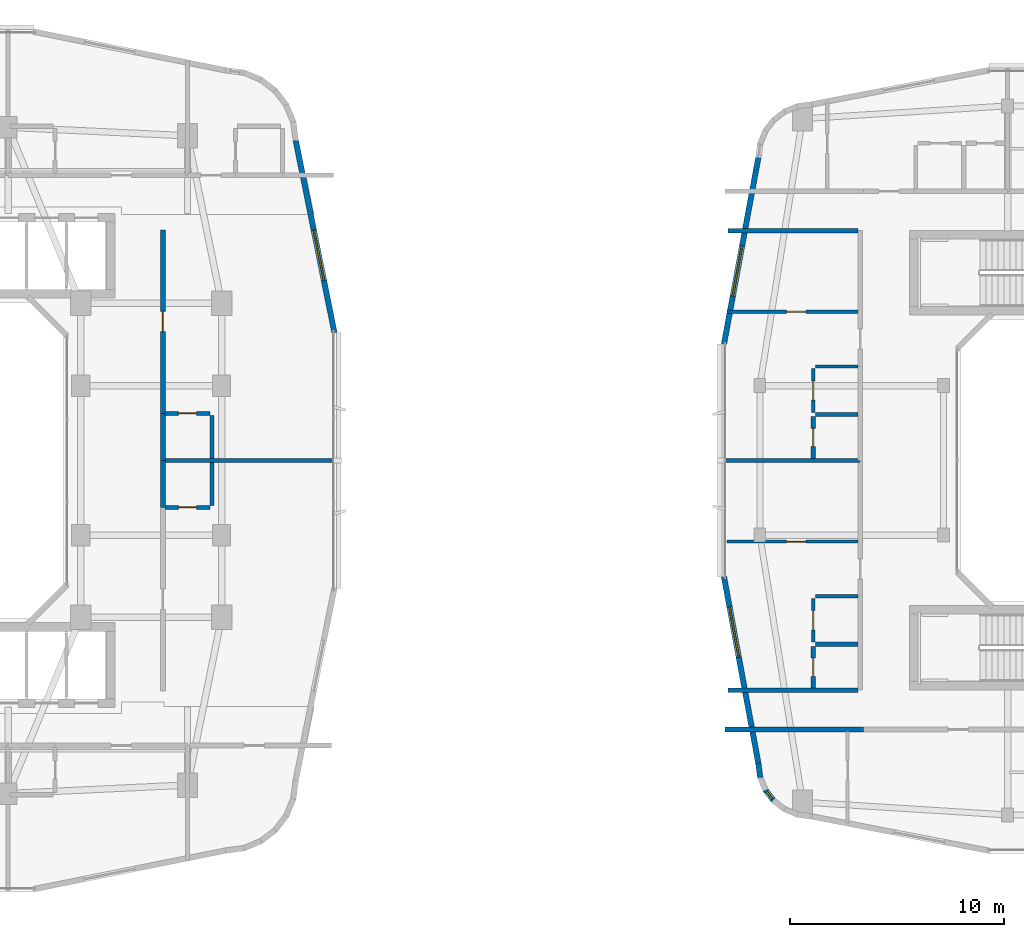
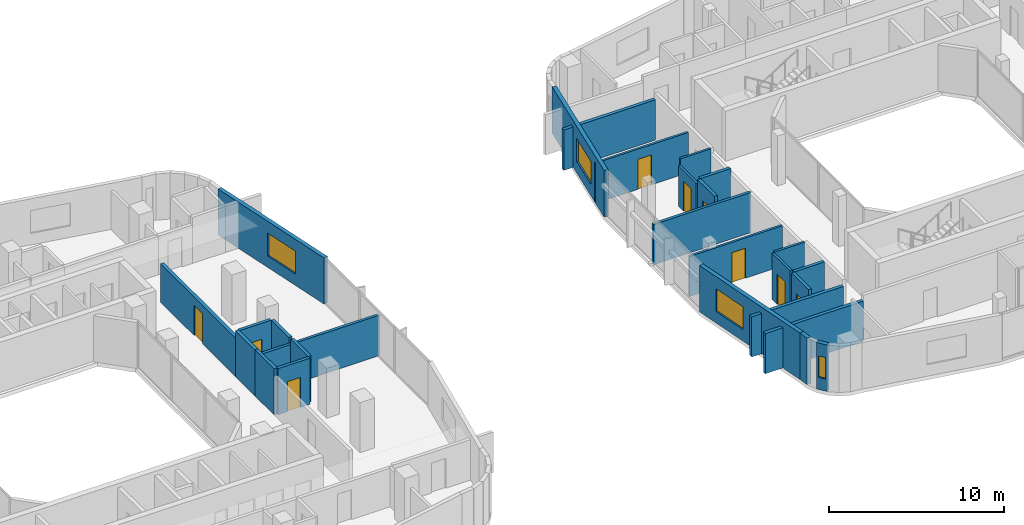
# One storey, part 15 of 26: 27 walls, 9 doors, 4 windows, 13 openings.
"""IFC4 building model written with IfcOpenShell, lengths in metres."""

from ifc_helpers import new_model, si_unit, derived_unit, direction, frame, frame_2d, origin, place, context, subcontext, project, spatial, rectangle, extrude, material, layer, layer_set, type_object, element, fill, save


model = new_model("IFC4")

# Units and contexts
model_context = context("Model", 3, precision=1e-05, world=origin(), true_north=direction((0.0, 1.0)))
body_context = subcontext(model_context, "Body", "Model", "MODEL_VIEW")
ifc_project = project(units=[si_unit("LENGTHUNIT", "METRE"), si_unit("AREAUNIT", "SQUARE_METRE"), si_unit("VOLUMEUNIT", "CUBIC_METRE"), si_unit("PLANEANGLEUNIT", "RADIAN"), si_unit("MASSUNIT", "GRAM", prefix="KILO"), derived_unit("THERMALTRANSMITTANCEUNIT", [(si_unit("POWERUNIT", "WATT"), 1), (si_unit("LENGTHUNIT", "METRE"), -2), (si_unit("THERMODYNAMICTEMPERATUREUNIT", "KELVIN"), -1)])], contexts=[model_context])

# Site, building, storey
site_placement = place(None, origin())
site = spatial("IfcSite", under=ifc_project, at=site_placement, CompositionType="ELEMENT")
building_placement = place(site_placement, origin())
building = spatial("IfcBuilding", under=site, at=building_placement, Name="Kivonza Crest Hotel", CompositionType="ELEMENT")
storey_placement = place(building_placement, frame((0.0, 0.0, 127.5)))
storey = spatial("IfcBuildingStorey", under=building, at=storey_placement, Name="L34", CompositionType="ELEMENT", Elevation=127.5)

# Walls
ifc_material_1 = material(Name="High-density acoustic masonry inter-tenancy wall", Category="masonry")
ifc_layer_1 = layer(ifc_material_1, 0.179931640625)
ifc_layer_set_1 = layer_set([ifc_layer_1], Name="High-density acoustic masonry inter-tenancy wall")
wall_type_1 = type_object("IfcWallType", Name="WL-ACOU-180", PredefinedType="SOLIDWALL", material=ifc_layer_set_1)
wall_1_placement = place(storey_placement, frame((33.050048828125, 25.0, 0.0), z_axis=(0.0, 0.0, 1.0), x_axis=(1.0, 0.0, 0.0)))
element("IfcWall", 1, at=wall_1_placement, inside=storey, type_object=wall_type_1, Name="L34 interior partition WA-L34-T1E-DIV1", PredefinedType="SOLIDWALL", context=body_context, shape_type="SweptSolid", body=[
    extrude(rectangle(XDim=8.08984375, YDim=0.179931640625, at=frame_2d((4.044921875, 0.0))), origin(), (0.0, 0.0, 1.0), 2.8349609375),
])
wall_2_placement = place(storey_placement, frame((59.260009765625, 25.0, 0.0), z_axis=(0.0, 0.0, 1.0), x_axis=(1.0, 0.0, 0.0)))
element("IfcWall", 2, at=wall_2_placement, inside=storey, type_object=wall_type_1, Name="L34 interior partition WA-L34-T2W-DIV1", PredefinedType="SOLIDWALL", context=body_context, shape_type="SweptSolid", body=[
    extrude(rectangle(XDim=6.43994140625, YDim=0.179931640625, at=frame_2d((3.219970703125, 0.0))), origin(), (0.0, 0.0, 1.0), 2.81494140625),
])
ifc_material_2 = material(Name="Autoclaved aerated concrete blockwork", Category="masonry")
ifc_layer_2 = layer(ifc_material_2, 0.219970703125)
ifc_layer_set_2 = layer_set([ifc_layer_2], Name="Autoclaved aerated concrete blockwork")
wall_type_2 = type_object("IfcWallType", Name="WL-ACOU-220", PredefinedType="SOLIDWALL", material=ifc_layer_set_2)
for number, where, z_axis, x_axis, name in (
    (3, (33.050048828125, 22.800048828125, 0.0), (0.0, 0.0, 1.0), (0.0, 1.0, 0.0), "L34 interior partition WA-L34-E10-BCORR"),
    (4, (33.050048828125, 25.0, 0.0), (0.0, 0.0, 1.0), (0.0, 1.0, 0.0), "L34 interior partition WA-L34-E11-BCORR"),
):
    element("IfcWall", number, at=place(storey_placement, frame(where, z_axis=z_axis, x_axis=x_axis)), inside=storey, type_object=wall_type_2, Name=name, PredefinedType="SOLIDWALL", context=body_context, shape_type="SweptSolid", body=[
        extrude(rectangle(XDim=2.199951171875, YDim=0.219970703125, at=frame_2d((1.10009765625, 0.0))), origin(), (0.0, 0.0, 1.0), 3.219970703125),
    ])

# Wall, opening, door
wall_3_placement = place(storey_placement, frame((33.050048828125, 27.199951171875, 0.0), z_axis=(0.0, 0.0, 1.0), x_axis=(0.0, 1.0, 0.0)))
wall_3 = element("IfcWall", 5, at=wall_3_placement, inside=storey, type_object=wall_type_2, Name="L34 interior partition WA-L34-E11-MCORR", PredefinedType="SOLIDWALL", context=body_context, shape_type="SweptSolid", body=[
    extrude(rectangle(XDim=8.60009765625, YDim=0.219970703125, at=frame_2d((4.300048828125, 0.0))), origin(), (0.0, 0.0, 1.0), 2.695068359375),
])
opening_1_placement = place(wall_3_placement, frame((3.824951171875, 0.0, 0.0)))
opening_1 = element("IfcOpeningElement", 6, at=opening_1_placement, cuts=wall_3, Name="Opening DU-60", PredefinedType="OPENING", context=body_context, shape_type="SweptSolid", body=[
    extrude(rectangle(XDim=0.949951171875, YDim=2.10009765625, at=frame_2d((0.47509765625, 1.050048828125))), frame((0.0, 0.1201171875, 0.0), z_axis=(0.0, -1.0, 0.0), x_axis=(1.0, 0.0, 0.0)), (0.0, 0.0, 1.0), 0.239990234375),
])
ifc_material_3 = material(Name="Hardwood timber oak", Category="wood")
door_type_1 = type_object("IfcDoorType", Name="DR-UNIT-950", OperationType="NOTDEFINED", PredefinedType="DOOR", material=ifc_material_3)
door_1_placement = place(opening_1_placement, frame((0.949951171875, 0.0, 0.0), z_axis=(0.0, 0.0, 1.0), x_axis=(-1.0, 0.0, 0.0)))
door_1 = element("IfcDoor", 7, at=door_1_placement, inside=storey, type_object=door_type_1, Name="L34 E11 guest unit entrance fire door", OperationType="SINGLE_SWING_LEFT", OverallHeight=2.10009765625, OverallWidth=0.949951171875, PredefinedType="DOOR", context=body_context, shape_type="SweptSolid", body=[
    extrude(rectangle(XDim=0.949951171875, YDim=2.10009765625, at=frame_2d((0.47509765625, 1.050048828125))), frame((0.0, 0.02490234375, 0.0), z_axis=(0.0, -1.0, 0.0), x_axis=(1.0, 0.0, 0.0)), (0.0, 0.0, 1.0), 0.050048828125),
])
fill(opening_1, door_1)

# Walls
wall_4_placement = place(storey_placement, frame((59.360107421875, 12.39990234375, 0.0), z_axis=(0.0, 0.0, 1.0), x_axis=(1.0, 0.0, 0.0)))
element("IfcWall", 8, at=wall_4_placement, inside=storey, type_object=wall_type_2, Name="L34 interior partition WA-L34-A03-LCORR", PredefinedType="SOLIDWALL", context=body_context, shape_type="SweptSolid", body=[
    extrude(rectangle(XDim=6.489990234375, YDim=0.219970703125, at=frame_2d((3.2451171875, 0.0))), origin(), (0.0, 0.0, 1.0), 2.81494140625),
])
for number, where, z_axis, x_axis, name in (
    (9, (59.52001953125, 14.239990234375, 0.0), (0.0, 0.0, 1.0), (1.0, 0.0, 0.0), "L34 interior partition WA-L34-T2W-ENDS"),
    (10, (59.52001953125, 35.760009765625, 0.0), (0.0, 0.0, 1.0), (1.0, 0.0, 0.0), "L34 interior partition WA-L34-T2W-ENDN"),
):
    element("IfcWall", number, at=place(storey_placement, frame(where, z_axis=z_axis, x_axis=x_axis)), inside=storey, type_object=wall_type_2, Name=name, PredefinedType="SOLIDWALL", context=body_context, shape_type="SweptSolid", body=[
        extrude(rectangle(XDim=6.080078125, YDim=0.219970703125, at=frame_2d((3.0400390625, 0.0))), origin(), (0.0, 0.0, 1.0), 2.81494140625),
    ])

# Wall, opening, window
ifc_material_4 = material(Name="Precast concrete C40/50", Category="concrete")
ifc_layer_3 = layer(ifc_material_4, 0.260009765625)
ifc_layer_set_3 = layer_set([ifc_layer_3], Name="Precast concrete C40/50")
wall_type_3 = type_object("IfcWallType", Name="WL-EXT-260", PredefinedType="STANDARD", material=ifc_layer_set_3)
wall_5_placement = place(storey_placement, frame((41.083984375, 30.97998046875, 0.0), z_axis=(0.0, 0.0, 1.0), x_axis=(-0.197435082048, 0.980315963543, 0.0)))
wall_5 = element("IfcWall", 11, at=wall_5_placement, inside=storey, type_object=wall_type_3, Name="L34 T1 exterior insulated wall 18", PredefinedType="STANDARD", context=body_context, shape_type="SweptSolid", body=[
    extrude(rectangle(XDim=9.1826171875, YDim=0.260009765625, at=frame_2d((4.59130859375, 0.0))), origin(), (0.0, 0.0, 1.0), 3.219970703125),
])
opening_2_placement = place(wall_5_placement, frame((2.4970703125, 0.0, 0.800048828125)))
opening_2 = element("IfcOpeningElement", 12, at=opening_2_placement, cuts=wall_5, Name="Opening WN-05", PredefinedType="OPENING", context=body_context, shape_type="SweptSolid", body=[
    extrude(rectangle(XDim=2.39990234375, YDim=1.60009765625, at=frame_2d((1.199951171875, 0.800048828125))), frame((0.0, 0.14013671875, 0.0), z_axis=(0.0, -1.0, 0.0), x_axis=(1.0, 0.0, 0.0)), (0.0, 0.0, 1.0), 0.280029296875),
])
ifc_material_5 = material(Name="Thermally broken bronze aluminium and low-E double glazing", Category="aluminium")
window_type_1 = type_object("IfcWindowType", Name="WN-240x160", PartitioningType="TRIPLE_PANEL_VERTICAL", PredefinedType="WINDOW", material=ifc_material_5)
window_1_placement = place(opening_2_placement, origin())
window_1 = element("IfcWindow", 13, at=window_1_placement, inside=storey, type_object=window_type_1, Name="L34 T1 facade window 18", OverallHeight=1.60009765625, OverallWidth=2.39990234375, PartitioningType="SINGLE_PANEL", PredefinedType="WINDOW", context=body_context, shape_type="SweptSolid", body=[
    extrude(rectangle(XDim=2.39990234375, YDim=1.60009765625, at=frame_2d((1.199951171875, 0.800048828125))), frame((0.0, 0.030029296875, 0.0), z_axis=(0.0, -1.0, 0.0), x_axis=(1.0, 0.0, 0.0)), (0.0, 0.0, 1.0), 0.06005859375),
])
fill(opening_2, window_1)

# Wall
wall_6_placement = place(storey_placement, frame((60.927978515625, 10.824951171875, 0.0), z_axis=(0.0, 0.0, 1.0), x_axis=(0.131667498923, -0.991293937098, 0.0)))
element("IfcWall", 14, at=wall_6_placement, inside=storey, type_object=wall_type_3, Name="L34 T2 exterior insulated wall 1", PredefinedType="STANDARD", context=body_context, shape_type="SweptSolid", body=[
    extrude(rectangle(XDim=0.6767578125, YDim=0.260009765625, at=frame_2d((0.33837890625, 0.0))), origin(), (0.0, 0.0, 1.0), 3.25),
])

# Wall, opening, window
wall_7_placement = place(storey_placement, frame((61.236083984375, 9.59912109375, 0.0), z_axis=(0.0, 0.0, 1.0), x_axis=(0.609472651958, -0.792807092876, 0.0)))
wall_7 = element("IfcWall", 15, at=wall_7_placement, inside=storey, type_object=wall_type_3, Name="L34 T2 exterior insulated wall 3", PredefinedType="STANDARD", context=body_context, shape_type="SweptSolid", body=[
    extrude(rectangle(XDim=0.69384765625, YDim=0.260009765625, at=frame_2d((0.346923828125, 0.0))), origin(), (0.0, 0.0, 1.0), 3.25),
])
opening_3_placement = place(wall_7_placement, frame((0.1220703125, 0.0, 0.85009765625)))
opening_3 = element("IfcOpeningElement", 16, at=opening_3_placement, cuts=wall_7, Name="Opening WN-11", PredefinedType="OPENING", context=body_context, shape_type="SweptSolid", body=[
    extrude(rectangle(XDim=0.449951171875, YDim=1.5, at=frame_2d((0.22509765625, 0.75))), frame((0.0, 0.14013671875, 0.0), z_axis=(0.0, -1.0, 0.0), x_axis=(1.0, 0.0, 0.0)), (0.0, 0.0, 1.0), 0.280029296875),
])
window_type_2 = type_object("IfcWindowType", Name="WN-045x150", PartitioningType="SINGLE_PANEL", PredefinedType="WINDOW", material=ifc_material_5)
window_2_placement = place(opening_3_placement, origin())
window_2 = element("IfcWindow", 17, at=window_2_placement, inside=storey, type_object=window_type_2, Name="L34 corner vision window 6", OverallHeight=1.5, OverallWidth=0.449951171875, PartitioningType="SINGLE_PANEL", PredefinedType="WINDOW", context=body_context, shape_type="SweptSolid", body=[
    extrude(rectangle(XDim=0.449951171875, YDim=1.5, at=frame_2d((0.22509765625, 0.75))), frame((0.0, 0.030029296875, 0.0), z_axis=(0.0, -1.0, 0.0), x_axis=(1.0, 0.0, 0.0)), (0.0, 0.0, 1.0), 0.06005859375),
])
fill(opening_3, window_2)

wall_8_placement = place(storey_placement, frame((60.928955078125, 39.18408203125, 0.0), z_axis=(0.0, 0.0, 1.0), x_axis=(-0.181209963057, -0.983444431215, 0.0)))
wall_8 = element("IfcWall", 18, at=wall_8_placement, inside=storey, type_object=wall_type_3, Name="L34 T2 exterior insulated wall 34", PredefinedType="STANDARD", context=body_context, shape_type="SweptSolid", body=[
    extrude(rectangle(XDim=8.889404296875, YDim=0.260009765625, at=frame_2d((4.44482421875, 0.0))), origin(), (0.0, 0.0, 1.0), 3.25),
])
opening_4_placement = place(wall_8_placement, frame((4.214111328125, 0.0, 0.800048828125)))
opening_4 = element("IfcOpeningElement", 19, at=opening_4_placement, cuts=wall_8, Name="Opening WN-05", PredefinedType="OPENING", context=body_context, shape_type="SweptSolid", body=[
    extrude(rectangle(XDim=2.39990234375, YDim=1.60009765625, at=frame_2d((1.199951171875, 0.800048828125))), frame((0.0, 0.14013671875, 0.0), z_axis=(0.0, -1.0, 0.0), x_axis=(1.0, 0.0, 0.0)), (0.0, 0.0, 1.0), 0.280029296875),
])
window_3_placement = place(opening_4_placement, origin())
window_3 = element("IfcWindow", 20, at=window_3_placement, inside=storey, type_object=window_type_1, Name="L34 T2 facade window 34", OverallHeight=1.60009765625, OverallWidth=2.39990234375, PartitioningType="SINGLE_PANEL", PredefinedType="WINDOW", context=body_context, shape_type="SweptSolid", body=[
    extrude(rectangle(XDim=2.39990234375, YDim=1.60009765625, at=frame_2d((1.199951171875, 0.800048828125))), frame((0.0, 0.030029296875, 0.0), z_axis=(0.0, -1.0, 0.0), x_axis=(1.0, 0.0, 0.0)), (0.0, 0.0, 1.0), 0.06005859375),
])
fill(opening_4, window_3)

wall_9_placement = place(storey_placement, frame((59.318115234375, 19.55810546875, 0.0), z_axis=(0.0, 0.0, 1.0), x_axis=(0.181209963057, -0.983444431215, 0.0)))
wall_9 = element("IfcWall", 21, at=wall_9_placement, inside=storey, type_object=wall_type_3, Name="L34 T2 exterior insulated wall 36", PredefinedType="STANDARD", context=body_context, shape_type="SweptSolid", body=[
    extrude(rectangle(XDim=8.889404296875, YDim=0.260009765625, at=frame_2d((4.44482421875, 0.0))), origin(), (0.0, 0.0, 1.0), 3.25),
])
opening_5_placement = place(wall_9_placement, frame((1.444091796875, 0.0, 0.800048828125)))
opening_5 = element("IfcOpeningElement", 22, at=opening_5_placement, cuts=wall_9, Name="Opening WN-05", PredefinedType="OPENING", context=body_context, shape_type="SweptSolid", body=[
    extrude(rectangle(XDim=2.39990234375, YDim=1.60009765625, at=frame_2d((1.199951171875, 0.800048828125))), frame((0.0, 0.14013671875, 0.0), z_axis=(0.0, -1.0, 0.0), x_axis=(1.0, 0.0, 0.0)), (0.0, 0.0, 1.0), 0.280029296875),
])
window_4_placement = place(opening_5_placement, origin())
window_4 = element("IfcWindow", 23, at=window_4_placement, inside=storey, type_object=window_type_1, Name="L34 T2 facade window 36", OverallHeight=1.60009765625, OverallWidth=2.39990234375, PartitioningType="SINGLE_PANEL", PredefinedType="WINDOW", context=body_context, shape_type="SweptSolid", body=[
    extrude(rectangle(XDim=2.39990234375, YDim=1.60009765625, at=frame_2d((1.199951171875, 0.800048828125))), frame((0.0, 0.030029296875, 0.0), z_axis=(0.0, -1.0, 0.0), x_axis=(1.0, 0.0, 0.0)), (0.0, 0.0, 1.0), 0.06005859375),
])
fill(opening_5, window_4)

# Wall, opening, door
ifc_material_6 = material(Name="Twin-stud acoustic gypsum board partition", Category="gypsum")
ifc_layer_4 = layer(ifc_material_6, 0.14990234375)
ifc_layer_set_4 = layer_set([ifc_layer_4], Name="Twin-stud acoustic gypsum board partition")
wall_type_4 = type_object("IfcWallType", Name="WL-PART-150", PredefinedType="PARTITIONING", material=ifc_layer_set_4)
wall_10_placement = place(storey_placement, frame((59.4599609375, 21.199951171875, 0.0), z_axis=(0.0, 0.0, 1.0), x_axis=(1.0, 0.0, 0.0)))
wall_10 = element("IfcWall", 24, at=wall_10_placement, inside=storey, type_object=wall_type_4, Name="L34 interior partition WP-L34-A05-BD1", PredefinedType="PARTITIONING", context=body_context, shape_type="SweptSolid", body=[
    extrude(rectangle(XDim=6.14013671875, YDim=0.14990234375, at=frame_2d((3.070068359375, 0.0))), origin(), (0.0, 0.0, 1.0), 2.81494140625),
])
opening_6_placement = place(wall_10_placement, frame((2.7900390625, 0.0, 0.0)))
opening_6 = element("IfcOpeningElement", 25, at=opening_6_placement, cuts=wall_10, Name="Opening DI-90", PredefinedType="OPENING", context=body_context, shape_type="SweptSolid", body=[
    extrude(rectangle(XDim=0.89990234375, YDim=2.10009765625, at=frame_2d((0.449951171875, 1.050048828125))), frame((0.0, 0.0849609375, 0.0), z_axis=(0.0, -1.0, 0.0), x_axis=(1.0, 0.0, 0.0)), (0.0, 0.0, 1.0), 0.169921875),
])
door_type_2 = type_object("IfcDoorType", Name="DR-INT-900", OperationType="NOTDEFINED", PredefinedType="DOOR", material=ifc_material_3)
door_2_placement = place(opening_6_placement, origin())
door_2 = element("IfcDoor", 26, at=door_2_placement, inside=storey, type_object=door_type_2, Name="L34 A05 bedroom door", OperationType="SINGLE_SWING_RIGHT", OverallHeight=2.10009765625, OverallWidth=0.89990234375, PredefinedType="DOOR", context=body_context, shape_type="SweptSolid", body=[
    extrude(rectangle(XDim=0.89990234375, YDim=2.10009765625, at=frame_2d((0.449951171875, 1.050048828125))), frame((0.0, 0.02490234375, 0.0), z_axis=(0.0, -1.0, 0.0), x_axis=(1.0, 0.0, 0.0)), (0.0, 0.0, 1.0), 0.050048828125),
])
fill(opening_6, door_2)

# Wall
wall_11_placement = place(storey_placement, frame((63.60009765625, 18.639892578125, 0.0), z_axis=(0.0, 0.0, 1.0), x_axis=(1.0, 0.0, 0.0)))
element("IfcWall", 27, at=wall_11_placement, inside=storey, type_object=wall_type_4, Name="L34 interior partition WP-L34-A05-KF", PredefinedType="PARTITIONING", context=body_context, shape_type="SweptSolid", body=[
    extrude(rectangle(XDim=2.0, YDim=0.14990234375, at=frame_2d((1.0, 0.0))), origin(), (0.0, 0.0, 1.0), 3.219970703125),
])

# Wall, opening, door
wall_12_placement = place(storey_placement, frame((63.5, 16.489990234375, 0.0), z_axis=(0.0, 0.0, 1.0), x_axis=(0.0, 1.0, 0.0)))
wall_12 = element("IfcWall", 28, at=wall_12_placement, inside=storey, type_object=wall_type_4, Name="L34 interior partition WP-L34-A05-KSVC", PredefinedType="PARTITIONING", context=body_context, shape_type="SweptSolid", body=[
    extrude(rectangle(XDim=2.050048828125, YDim=0.14990234375, at=frame_2d((1.02490234375, 0.0))), origin(), (0.0, 0.0, 1.0), 3.219970703125),
])
opening_7_placement = place(wall_12_placement, frame((0.574951171875, 0.0, 0.0)))
opening_7 = element("IfcOpeningElement", 29, at=opening_7_placement, cuts=wall_12, Name="Opening DI-90", PredefinedType="OPENING", context=body_context, shape_type="SweptSolid", body=[
    extrude(rectangle(XDim=0.89990234375, YDim=2.10009765625, at=frame_2d((0.449951171875, 1.050048828125))), frame((0.0, 0.0849609375, 0.0), z_axis=(0.0, -1.0, 0.0), x_axis=(1.0, 0.0, 0.0)), (0.0, 0.0, 1.0), 0.169921875),
])
door_3_placement = place(opening_7_placement, origin())
door_3 = element("IfcDoor", 30, at=door_3_placement, inside=storey, type_object=door_type_2, Name="L34 A05 apartment kitchen door", OperationType="SINGLE_SWING_LEFT", OverallHeight=2.10009765625, OverallWidth=0.89990234375, PredefinedType="DOOR", context=body_context, shape_type="SweptSolid", body=[
    extrude(rectangle(XDim=0.89990234375, YDim=2.10009765625, at=frame_2d((0.449951171875, 1.050048828125))), frame((0.0, 0.02490234375, 0.0), z_axis=(0.0, -1.0, 0.0), x_axis=(1.0, 0.0, 0.0)), (0.0, 0.0, 1.0), 0.050048828125),
])
fill(opening_7, door_3)

wall_13_placement = place(storey_placement, frame((59.4599609375, 31.9599609375, 0.0), z_axis=(0.0, 0.0, 1.0), x_axis=(1.0, 0.0, 0.0)))
wall_13 = element("IfcWall", 31, at=wall_13_placement, inside=storey, type_object=wall_type_4, Name="L34 interior partition WP-L34-A06-BD1", PredefinedType="PARTITIONING", context=body_context, shape_type="SweptSolid", body=[
    extrude(rectangle(XDim=6.14013671875, YDim=0.14990234375, at=frame_2d((3.070068359375, 0.0))), origin(), (0.0, 0.0, 1.0), 2.81494140625),
])
opening_8_placement = place(wall_13_placement, frame((2.7900390625, 0.0, 0.0)))
opening_8 = element("IfcOpeningElement", 32, at=opening_8_placement, cuts=wall_13, Name="Opening DI-90", PredefinedType="OPENING", context=body_context, shape_type="SweptSolid", body=[
    extrude(rectangle(XDim=0.89990234375, YDim=2.10009765625, at=frame_2d((0.449951171875, 1.050048828125))), frame((0.0, 0.0849609375, 0.0), z_axis=(0.0, -1.0, 0.0), x_axis=(1.0, 0.0, 0.0)), (0.0, 0.0, 1.0), 0.169921875),
])
door_4_placement = place(opening_8_placement, origin())
door_4 = element("IfcDoor", 33, at=door_4_placement, inside=storey, type_object=door_type_2, Name="L34 A06 bedroom door", OperationType="SINGLE_SWING_LEFT", OverallHeight=2.10009765625, OverallWidth=0.89990234375, PredefinedType="DOOR", context=body_context, shape_type="SweptSolid", body=[
    extrude(rectangle(XDim=0.89990234375, YDim=2.10009765625, at=frame_2d((0.449951171875, 1.050048828125))), frame((0.0, 0.02490234375, 0.0), z_axis=(0.0, -1.0, 0.0), x_axis=(1.0, 0.0, 0.0)), (0.0, 0.0, 1.0), 0.050048828125),
])
fill(opening_8, door_4)

# Wall
wall_14_placement = place(storey_placement, frame((63.60009765625, 29.39990234375, 0.0), z_axis=(0.0, 0.0, 1.0), x_axis=(1.0, 0.0, 0.0)))
element("IfcWall", 34, at=wall_14_placement, inside=storey, type_object=wall_type_4, Name="L34 interior partition WP-L34-A06-KF", PredefinedType="PARTITIONING", context=body_context, shape_type="SweptSolid", body=[
    extrude(rectangle(XDim=2.0, YDim=0.14990234375, at=frame_2d((1.0, 0.0))), origin(), (0.0, 0.0, 1.0), 3.219970703125),
])

# Wall, opening, door
wall_15_placement = place(storey_placement, frame((63.5, 27.25, 0.0), z_axis=(0.0, 0.0, 1.0), x_axis=(0.0, 1.0, 0.0)))
wall_15 = element("IfcWall", 35, at=wall_15_placement, inside=storey, type_object=wall_type_4, Name="L34 interior partition WP-L34-A06-KSVC", PredefinedType="PARTITIONING", context=body_context, shape_type="SweptSolid", body=[
    extrude(rectangle(XDim=2.050048828125, YDim=0.14990234375, at=frame_2d((1.02490234375, 0.0))), origin(), (0.0, 0.0, 1.0), 2.81494140625),
])
opening_9_placement = place(wall_15_placement, frame((0.574951171875, 0.0, 0.0)))
opening_9 = element("IfcOpeningElement", 36, at=opening_9_placement, cuts=wall_15, Name="Opening DI-90", PredefinedType="OPENING", context=body_context, shape_type="SweptSolid", body=[
    extrude(rectangle(XDim=0.89990234375, YDim=2.10009765625, at=frame_2d((0.449951171875, 1.050048828125))), frame((0.0, 0.0849609375, 0.0), z_axis=(0.0, -1.0, 0.0), x_axis=(1.0, 0.0, 0.0)), (0.0, 0.0, 1.0), 0.169921875),
])
door_5_placement = place(opening_9_placement, origin())
door_5 = element("IfcDoor", 37, at=door_5_placement, inside=storey, type_object=door_type_2, Name="L34 A06 apartment kitchen door", OperationType="SINGLE_SWING_RIGHT", OverallHeight=2.10009765625, OverallWidth=0.89990234375, PredefinedType="DOOR", context=body_context, shape_type="SweptSolid", body=[
    extrude(rectangle(XDim=0.89990234375, YDim=2.10009765625, at=frame_2d((0.449951171875, 1.050048828125))), frame((0.0, 0.02490234375, 0.0), z_axis=(0.0, -1.0, 0.0), x_axis=(1.0, 0.0, 0.0)), (0.0, 0.0, 1.0), 0.050048828125),
])
fill(opening_9, door_5)

ifc_material_7 = material(Name="Moisture-resistant plumbing chase partition wall", Category="gypsum")
ifc_layer_5 = layer(ifc_material_7, 0.199951171875)
ifc_layer_set_5 = layer_set([ifc_layer_5], Name="Moisture-resistant plumbing chase partition wall")
wall_type_5 = type_object("IfcWallType", Name="WL-PLUMB-200", PredefinedType="PLUMBINGWALL", material=ifc_layer_set_5)
wall_16_placement = place(storey_placement, frame((33.14990234375, 22.800048828125, 0.0), z_axis=(0.0, 0.0, 1.0), x_axis=(1.0, 0.0, 0.0)))
wall_16 = element("IfcWall", 38, at=wall_16_placement, inside=storey, type_object=wall_type_5, Name="L34 interior partition WW-L34-E10-BH", PredefinedType="PLUMBINGWALL", context=body_context, shape_type="SweptSolid", body=[
    extrude(rectangle(XDim=2.10009765625, YDim=0.199951171875, at=frame_2d((1.050048828125, 0.0))), origin(), (0.0, 0.0, 1.0), 3.219970703125),
])
opening_10_placement = place(wall_16_placement, frame((0.625, 0.0, 0.0)))
opening_10 = element("IfcOpeningElement", 39, at=opening_10_placement, cuts=wall_16, Name="Opening DI-85", PredefinedType="OPENING", context=body_context, shape_type="SweptSolid", body=[
    extrude(rectangle(XDim=0.85009765625, YDim=2.10009765625, at=frame_2d((0.425048828125, 1.050048828125))), frame((0.0, 0.10986328125, 0.0), z_axis=(0.0, -1.0, 0.0), x_axis=(1.0, 0.0, 0.0)), (0.0, 0.0, 1.0), 0.219970703125),
])
door_type_3 = type_object("IfcDoorType", Name="DR-INT-850", OperationType="NOTDEFINED", PredefinedType="DOOR", material=ifc_material_3)
door_6_placement = place(opening_10_placement, frame((0.85009765625, 0.0, 0.0), z_axis=(0.0, 0.0, 1.0), x_axis=(-1.0, 0.0, 0.0)))
door_6 = element("IfcDoor", 40, at=door_6_placement, inside=storey, type_object=door_type_3, Name="L34 E10 en-suite bathroom door", OperationType="SINGLE_SWING_LEFT", OverallHeight=2.10009765625, OverallWidth=0.85009765625, PredefinedType="DOOR", context=body_context, shape_type="SweptSolid", body=[
    extrude(rectangle(XDim=0.85009765625, YDim=2.10009765625, at=frame_2d((0.425048828125, 1.050048828125))), frame((0.0, 0.02490234375, 0.0), z_axis=(0.0, -1.0, 0.0), x_axis=(1.0, 0.0, 0.0)), (0.0, 0.0, 1.0), 0.050048828125),
])
fill(opening_10, door_6)

# Wall
wall_17_placement = place(storey_placement, frame((35.35009765625, 22.89990234375, 0.0), z_axis=(0.0, 0.0, 1.0), x_axis=(0.0, 1.0, 0.0)))
element("IfcWall", 41, at=wall_17_placement, inside=storey, type_object=wall_type_5, Name="L34 interior partition WW-L34-E10-BV", PredefinedType="PLUMBINGWALL", context=body_context, shape_type="SweptSolid", body=[
    extrude(rectangle(XDim=2.0, YDim=0.199951171875, at=frame_2d((1.0, 0.0))), origin(), (0.0, 0.0, 1.0), 3.219970703125),
])

# Wall, opening, door
wall_18_placement = place(storey_placement, frame((33.14990234375, 27.199951171875, 0.0), z_axis=(0.0, 0.0, 1.0), x_axis=(1.0, 0.0, 0.0)))
wall_18 = element("IfcWall", 42, at=wall_18_placement, inside=storey, type_object=wall_type_5, Name="L34 interior partition WW-L34-E11-BH", PredefinedType="PLUMBINGWALL", context=body_context, shape_type="SweptSolid", body=[
    extrude(rectangle(XDim=2.10009765625, YDim=0.199951171875, at=frame_2d((1.050048828125, 0.0))), origin(), (0.0, 0.0, 1.0), 3.219970703125),
])
opening_11_placement = place(wall_18_placement, frame((0.625, 0.0, 0.0)))
opening_11 = element("IfcOpeningElement", 43, at=opening_11_placement, cuts=wall_18, Name="Opening DI-85", PredefinedType="OPENING", context=body_context, shape_type="SweptSolid", body=[
    extrude(rectangle(XDim=0.85009765625, YDim=2.10009765625, at=frame_2d((0.425048828125, 1.050048828125))), frame((0.0, 0.10986328125, 0.0), z_axis=(0.0, -1.0, 0.0), x_axis=(1.0, 0.0, 0.0)), (0.0, 0.0, 1.0), 0.219970703125),
])
door_7_placement = place(opening_11_placement, origin())
door_7 = element("IfcDoor", 44, at=door_7_placement, inside=storey, type_object=door_type_3, Name="L34 E11 en-suite bathroom door", OperationType="SINGLE_SWING_RIGHT", OverallHeight=2.10009765625, OverallWidth=0.85009765625, PredefinedType="DOOR", context=body_context, shape_type="SweptSolid", body=[
    extrude(rectangle(XDim=0.85009765625, YDim=2.10009765625, at=frame_2d((0.425048828125, 1.050048828125))), frame((0.0, 0.02490234375, 0.0), z_axis=(0.0, -1.0, 0.0), x_axis=(1.0, 0.0, 0.0)), (0.0, 0.0, 1.0), 0.050048828125),
])
fill(opening_11, door_7)

# Walls
for number, where, z_axis, x_axis, name in (
    (45, (35.35009765625, 25.10009765625, 0.0), (0.0, 0.0, 1.0), (0.0, 1.0, 0.0), "L34 interior partition WW-L34-E11-BV"),
    (46, (63.60009765625, 16.389892578125, 0.0), (0.0, 0.0, 1.0), (1.0, 0.0, 0.0), "L34 interior partition WW-L34-A05-BK"),
):
    element("IfcWall", number, at=place(storey_placement, frame(where, z_axis=z_axis, x_axis=x_axis)), inside=storey, type_object=wall_type_5, Name=name, PredefinedType="PLUMBINGWALL", context=body_context, shape_type="SweptSolid", body=[
        extrude(rectangle(XDim=2.0, YDim=0.199951171875, at=frame_2d((1.0, 0.0))), origin(), (0.0, 0.0, 1.0), 3.219970703125),
    ])

# Wall, opening, door
wall_19_placement = place(storey_placement, frame((63.5, 14.340087890625, 0.0), z_axis=(0.0, 0.0, 1.0), x_axis=(0.0, 1.0, 0.0)))
wall_19 = element("IfcWall", 47, at=wall_19_placement, inside=storey, type_object=wall_type_5, Name="L34 interior partition WW-L34-A05-BSVC", PredefinedType="PLUMBINGWALL", context=body_context, shape_type="SweptSolid", body=[
    extrude(rectangle(XDim=1.949951171875, YDim=0.199951171875, at=frame_2d((0.97509765625, 0.0))), origin(), (0.0, 0.0, 1.0), 3.219970703125),
])
opening_12_placement = place(wall_19_placement, frame((0.550048828125, 0.0, 0.0)))
opening_12 = element("IfcOpeningElement", 48, at=opening_12_placement, cuts=wall_19, Name="Opening DI-85", PredefinedType="OPENING", context=body_context, shape_type="SweptSolid", body=[
    extrude(rectangle(XDim=0.85009765625, YDim=2.10009765625, at=frame_2d((0.425048828125, 1.050048828125))), frame((0.0, 0.10986328125, 0.0), z_axis=(0.0, -1.0, 0.0), x_axis=(1.0, 0.0, 0.0)), (0.0, 0.0, 1.0), 0.219970703125),
])
door_8_placement = place(opening_12_placement, origin())
door_8 = element("IfcDoor", 49, at=door_8_placement, inside=storey, type_object=door_type_3, Name="L34 A05 apartment bathroom door", OperationType="SINGLE_SWING_RIGHT", OverallHeight=2.10009765625, OverallWidth=0.85009765625, PredefinedType="DOOR", context=body_context, shape_type="SweptSolid", body=[
    extrude(rectangle(XDim=0.85009765625, YDim=2.10009765625, at=frame_2d((0.425048828125, 1.050048828125))), frame((0.0, 0.02490234375, 0.0), z_axis=(0.0, -1.0, 0.0), x_axis=(1.0, 0.0, 0.0)), (0.0, 0.0, 1.0), 0.050048828125),
])
fill(opening_12, door_8)

# Wall
wall_20_placement = place(storey_placement, frame((63.60009765625, 27.14990234375, 0.0), z_axis=(0.0, 0.0, 1.0), x_axis=(1.0, 0.0, 0.0)))
element("IfcWall", 50, at=wall_20_placement, inside=storey, type_object=wall_type_5, Name="L34 interior partition WW-L34-A06-BK", PredefinedType="PLUMBINGWALL", context=body_context, shape_type="SweptSolid", body=[
    extrude(rectangle(XDim=2.0, YDim=0.199951171875, at=frame_2d((1.0, 0.0))), origin(), (0.0, 0.0, 1.0), 3.219970703125),
])

# Wall, opening, door
wall_21_placement = place(storey_placement, frame((63.5, 25.10009765625, 0.0), z_axis=(0.0, 0.0, 1.0), x_axis=(0.0, 1.0, 0.0)))
wall_21 = element("IfcWall", 51, at=wall_21_placement, inside=storey, type_object=wall_type_5, Name="L34 interior partition WW-L34-A06-BSVC", PredefinedType="PLUMBINGWALL", context=body_context, shape_type="SweptSolid", body=[
    extrude(rectangle(XDim=1.949951171875, YDim=0.199951171875, at=frame_2d((0.97509765625, 0.0))), origin(), (0.0, 0.0, 1.0), 3.219970703125),
])
opening_13_placement = place(wall_21_placement, frame((0.550048828125, 0.0, 0.0)))
opening_13 = element("IfcOpeningElement", 52, at=opening_13_placement, cuts=wall_21, Name="Opening DI-85", PredefinedType="OPENING", context=body_context, shape_type="SweptSolid", body=[
    extrude(rectangle(XDim=0.85009765625, YDim=2.10009765625, at=frame_2d((0.425048828125, 1.050048828125))), frame((0.0, 0.10986328125, 0.0), z_axis=(0.0, -1.0, 0.0), x_axis=(1.0, 0.0, 0.0)), (0.0, 0.0, 1.0), 0.219970703125),
])
door_9_placement = place(opening_13_placement, origin())
door_9 = element("IfcDoor", 53, at=door_9_placement, inside=storey, type_object=door_type_3, Name="L34 A06 apartment bathroom door", OperationType="SINGLE_SWING_LEFT", OverallHeight=2.10009765625, OverallWidth=0.85009765625, PredefinedType="DOOR", context=body_context, shape_type="SweptSolid", body=[
    extrude(rectangle(XDim=0.85009765625, YDim=2.10009765625, at=frame_2d((0.425048828125, 1.050048828125))), frame((0.0, 0.02490234375, 0.0), z_axis=(0.0, -1.0, 0.0), x_axis=(1.0, 0.0, 0.0)), (0.0, 0.0, 1.0), 0.050048828125),
])
fill(opening_13, door_9)

save(model, "model.ifc")
